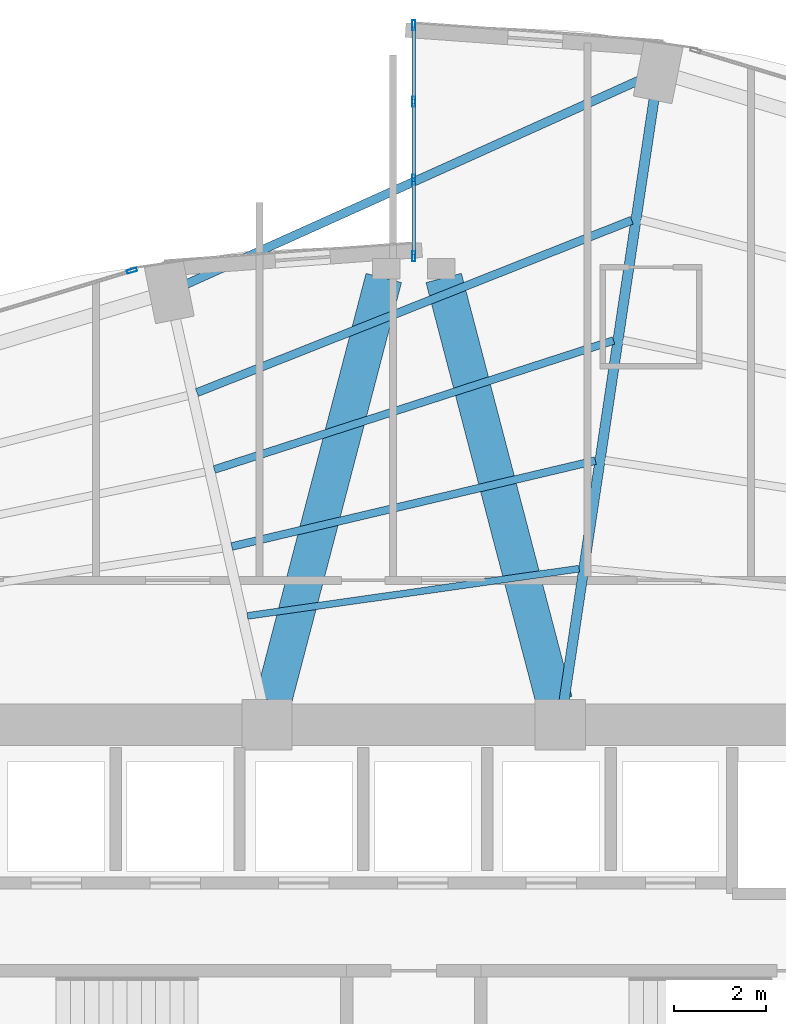
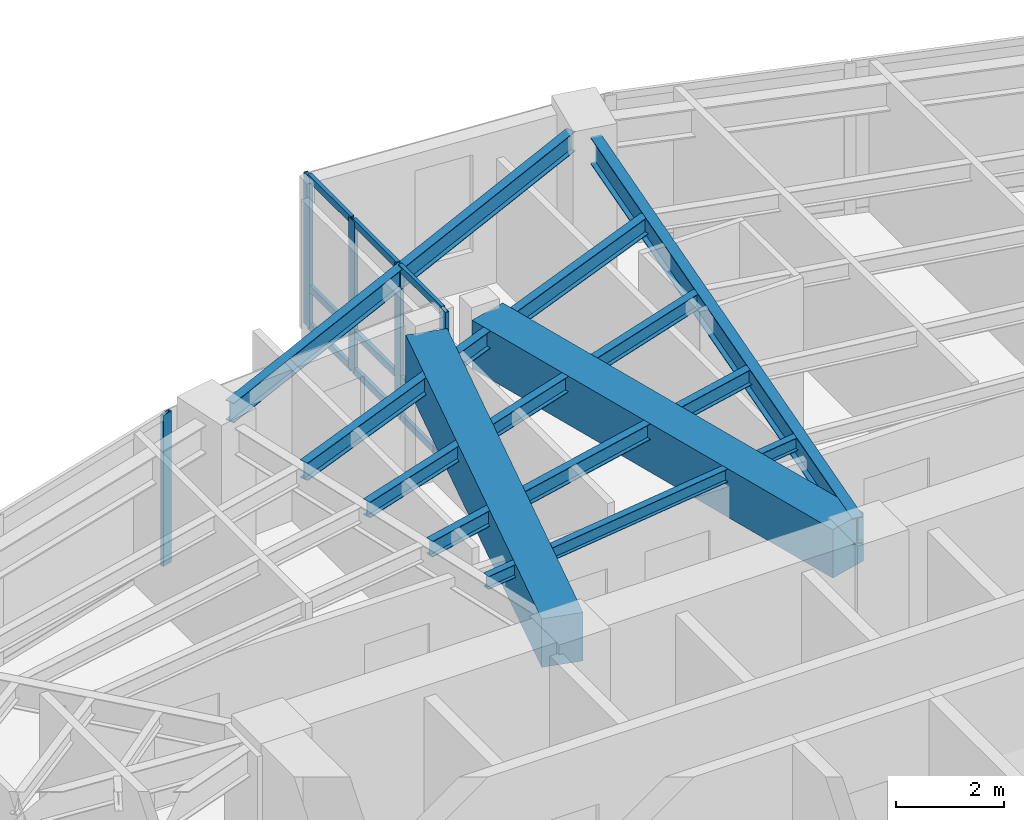
# One storey, part 16 of 25: 14 members, 8 beams, 2 elements without a shape of their own.
"""IFC4 building model written with IfcOpenShell, lengths in metres."""

from ifc_helpers import new_model, si_unit, direction, frame, origin, origin_2d, place, context, subcontext, project, spatial, rectangle, hollow_rectangle, i_section, extrude, material, layer, layer_set, material_profile, profile_set, type_object, element, aggregate, save


model = new_model("IFC4")

# Units and contexts
model_context = context("Model", 3, precision=1e-05, world=origin(), true_north=direction((0.0, 1.0)))
body_context = subcontext(model_context, "Body", "Model", "MODEL_VIEW")
ifc_project = project(units=[si_unit("LENGTHUNIT", "METRE"), si_unit("AREAUNIT", "SQUARE_METRE"), si_unit("VOLUMEUNIT", "CUBIC_METRE"), si_unit("PLANEANGLEUNIT", "RADIAN"), si_unit("MASSUNIT", "GRAM", prefix="KILO")], contexts=[model_context])

# Site, building, storey
site_placement = place(None, origin())
site = spatial("IfcSite", under=ifc_project, at=site_placement, CompositionType="ELEMENT")
building_placement = place(site_placement, origin())
building = spatial("IfcBuilding", under=site, at=building_placement, Name="Lazwardi Medical Tower", CompositionType="ELEMENT")
storey_placement = place(building_placement, frame((0.0, 0.0, 47.087890625)))
storey = spatial("IfcBuildingStorey", under=building, at=storey_placement, Name="L11", CompositionType="ELEMENT", Elevation=47.087890625)

# Beams
ifc_material_1 = material(Name="Concrete C70/85", Category="concrete")
ifc_material_profile_1 = material_profile(ifc_material_1, rectangle(XDim=0.800048828125, YDim=1.10009765625, at=origin_2d()), Name="RC 800x1100")
ifc_profile_set_1 = profile_set([ifc_material_profile_1], Name="Concrete C70/85")
beam_type_1 = type_object("IfcBeamType", Name="BM-CB-RC1", PredefinedType="LINTEL", material=ifc_profile_set_1)
for number, where, z_axis, x_axis, name in (
    (1, (32.935302734375, 36.11767578125, 2.878173828125), (0.252819877511, 0.967513364009, 0.0), (-0.967513364009, 0.252819877511, 0.0), "Core coupling lintel CB-01 PL1 L11"),
    (2, (39.064697265625, 36.11767578125, 2.878173828125), (-0.252819877511, 0.967513364009, 0.0), (-0.967513364009, -0.252819877511, 0.0), "Core coupling lintel CB-01 PL2 L11"),
):
    element("IfcBeam", number, at=place(storey_placement, frame(where, z_axis=z_axis, x_axis=x_axis)), inside=storey, type_object=beam_type_1, Name=name, PredefinedType="LINTEL", context=body_context, shape_type="SweptSolid", body=[
        extrude(rectangle(XDim=0.800048828125, YDim=1.10009765625, at=origin_2d()), origin(), (0.0, 0.0, 1.0), 9.538818359375),
    ])
ifc_material_2 = material(Name="Steel S355", Category="steel")
ifc_material_profile_2 = material_profile(ifc_material_2, i_section(OverallWidth=0.219970703125, OverallDepth=0.60009765625, WebThickness=0.011962890625, FlangeThickness=0.01904296875, at=origin_2d()), Name="IPE 600")
ifc_profile_set_2 = profile_set([ifc_material_profile_2], Name="Steel S355")
beam_type_2 = type_object("IfcBeamType", Name="BM-RG-W1", PredefinedType="BEAM", material=ifc_profile_set_2)
beam_1_placement = place(storey_placement, frame((41.2451171875, 49.2705078125, 3.128173828125), z_axis=(-0.147944218183, -0.98899570692, 0.0), x_axis=(0.98899570692, -0.147944218183, 0.0)))
element("IfcBeam", 3, at=beam_1_placement, inside=storey, type_object=beam_type_2, Name="Radial girder RG-02 R08 L11", PredefinedType="BEAM", context=body_context, shape_type="SweptSolid", body=[
    extrude(i_section(OverallWidth=0.219970703125, OverallDepth=0.60009765625, WebThickness=0.011962890625, FlangeThickness=0.01904296875, at=origin_2d()), origin(), (0.0, 0.0, 1.0), 13.28759765625),
])
ifc_material_profile_3 = material_profile(ifc_material_2, i_section(OverallWidth=0.179931640625, OverallDepth=0.39990234375, WebThickness=0.008544921875, FlangeThickness=0.013427734375, at=origin_2d()), Name="IPE 400")
ifc_profile_set_3 = profile_set([ifc_material_profile_3], Name="Steel S355")
beam_type_3 = type_object("IfcBeamType", Name="BM-SJ-01", PredefinedType="JOIST", material=ifc_profile_set_3)
beam_2_placement = place(storey_placement, frame((40.754150390625, 46.603515625, 3.22802734375), z_axis=(-0.929663713752, -0.368409255222, 0.0), x_axis=(0.368409255222, -0.929663713752, 0.0)))
element("IfcBeam", 4, at=beam_2_placement, inside=storey, type_object=beam_type_3, Name="Secondary joist SJ-01 R1 B08 L11", PredefinedType="JOIST", context=body_context, shape_type="SweptSolid", body=[
    extrude(i_section(OverallWidth=0.179931640625, OverallDepth=0.39990234375, WebThickness=0.008544921875, FlangeThickness=0.013427734375, at=origin_2d()), origin(), (0.0, 0.0, 1.0), 10.2001953125),
])
ifc_material_profile_4 = material_profile(ifc_material_2, i_section(OverallWidth=0.169921875, OverallDepth=0.360107421875, WebThickness=0.008056640625, FlangeThickness=0.0126953125, at=origin_2d()), Name="IPE 360")
ifc_profile_set_4 = profile_set([ifc_material_profile_4], Name="Steel S355")
beam_type_4 = type_object("IfcBeamType", Name="BM-SJ-02", PredefinedType="JOIST", material=ifc_profile_set_4)
beam_3_placement = place(storey_placement, frame((40.35888671875, 43.981689453125, 3.248046875), z_axis=(-0.951558895485, -0.307466532199, 0.0), x_axis=(0.307466532199, -0.951558895485, 0.0)))
element("IfcBeam", 5, at=beam_3_placement, inside=storey, type_object=beam_type_4, Name="Secondary joist SJ-02 R2 B08 L11", PredefinedType="JOIST", context=body_context, shape_type="SweptSolid", body=[
    extrude(i_section(OverallWidth=0.169921875, OverallDepth=0.360107421875, WebThickness=0.008056640625, FlangeThickness=0.0126953125, at=origin_2d()), origin(), (0.0, 0.0, 1.0), 9.1513671875),
])
beam_4_placement = place(storey_placement, frame((39.96337890625, 41.361572265625, 3.248046875), z_axis=(-0.973240904247, -0.229787167397, 0.0), x_axis=(0.229787167397, -0.973240904247, 0.0)))
element("IfcBeam", 6, at=beam_4_placement, inside=storey, type_object=beam_type_4, Name="Secondary joist SJ-02 R3 B08 L11", PredefinedType="JOIST", context=body_context, shape_type="SweptSolid", body=[
    extrude(i_section(OverallWidth=0.169921875, OverallDepth=0.360107421875, WebThickness=0.008056640625, FlangeThickness=0.0126953125, at=origin_2d()), origin(), (0.0, 0.0, 1.0), 8.151123046875),
])
ifc_material_profile_5 = material_profile(ifc_material_2, i_section(OverallWidth=0.14990234375, OverallDepth=0.300048828125, WebThickness=0.007080078125, FlangeThickness=0.0107421875, at=origin_2d()), Name="IPE 300")
ifc_profile_set_5 = profile_set([ifc_material_profile_5], Name="Steel S355")
beam_type_5 = type_object("IfcBeamType", Name="BM-SJ-03", PredefinedType="JOIST", material=ifc_profile_set_5)
beam_5_placement = place(storey_placement, frame((39.607666015625, 39.00537109375, 3.278076171875), z_axis=(-0.99001552228, -0.140958382672, 0.0), x_axis=(0.140958382672, -0.99001552228, 0.0)))
element("IfcBeam", 7, at=beam_5_placement, inside=storey, type_object=beam_type_5, Name="Secondary joist SJ-03 R4 B08 L11", PredefinedType="JOIST", context=body_context, shape_type="SweptSolid", body=[
    extrude(i_section(OverallWidth=0.14990234375, OverallDepth=0.300048828125, WebThickness=0.007080078125, FlangeThickness=0.0107421875, at=origin_2d()), origin(), (0.0, 0.0, 1.0), 7.30908203125),
])
ifc_material_profile_6 = material_profile(ifc_material_2, i_section(OverallWidth=0.18994140625, OverallDepth=0.449951171875, WebThickness=0.009521484375, FlangeThickness=0.0146484375, at=origin_2d()), Name="IPE 450")
ifc_profile_set_6 = profile_set([ifc_material_profile_6], Name="Steel S355")
beam_type_6 = type_object("IfcBeamType", Name="BM-SP-01", PredefinedType="SPANDREL", material=ifc_profile_set_6)
beam_6_placement = place(storey_placement, frame((40.94775390625, 49.671630859375, 3.203125), z_axis=(-0.91184908894, -0.410525564368, 0.0), x_axis=(0.410525564368, -0.91184908894, 0.0)))
element("IfcBeam", 8, at=beam_6_placement, inside=storey, type_object=beam_type_6, Name="Spandrel beam SP-01 B08 L11", PredefinedType="SPANDREL", context=body_context, shape_type="SweptSolid", body=[
    extrude(i_section(OverallWidth=0.18994140625, OverallDepth=0.449951171875, WebThickness=0.009521484375, FlangeThickness=0.0146484375, at=origin_2d()), origin(), (0.0, 0.0, 1.0), 10.85205078125),
])

# Curtain wall, member
ifc_material_3 = material(Name="Anodised bronze aluminium and solar control glazing", Category="aluminium")
ifc_layer_1 = layer(ifc_material_3, 0.199951171875)
ifc_layer_set_1 = layer_set([ifc_layer_1], Name="Anodised bronze aluminium and solar control glazing")
curtain_wall_type_1 = type_object("IfcCurtainWallType", Name="CW-SYS-02", PredefinedType="NOTDEFINED", material=ifc_layer_set_1)
curtain_wall_1_placement = place(storey_placement, origin())
curtain_wall_1 = element("IfcCurtainWall", 9, at=curtain_wall_1_placement, inside=storey, type_object=curtain_wall_type_1, Name="L11 Unitised bronze curtain wall CW-02", PredefinedType="NOTDEFINED")
ifc_material_4 = material(Name="Anodised bronze aluminium", Category="aluminium")
ifc_material_profile_7 = material_profile(ifc_material_4, hollow_rectangle(XDim=0.074951171875, YDim=0.219970703125, WallThickness=0.00390625, at=origin_2d()), Name="ALU-MULLION 220x75x4")
ifc_profile_set_7 = profile_set([ifc_material_profile_7], Name="Anodised bronze aluminium")
member_type_1 = type_object("IfcMemberType", Name="CW-MUL-01", PredefinedType="MULLION", material=ifc_profile_set_7)
member_1_placement = place(storey_placement, frame((29.85205078125, 45.503662109375, 0.0), z_axis=(0.0, 0.0, 1.0), x_axis=(0.2898956909, -0.957058247129, 0.0)))
member_1 = element("IfcMember", 10, at=member_1_placement, type_object=member_type_1, Name="CW-02 mullion 1", PredefinedType="MULLION", context=body_context, shape_type="SweptSolid", body=[
    extrude(hollow_rectangle(XDim=0.074951171875, YDim=0.219970703125, WallThickness=0.00390625, at=origin_2d()), origin(), (0.0, 0.0, 1.0), 3.42822265625),
])
aggregate(curtain_wall_1, [member_1])

# Curtain wall, members
ifc_layer_2 = layer(ifc_material_3, 0.2099609375)
ifc_layer_set_2 = layer_set([ifc_layer_2], Name="Anodised bronze aluminium and solar control glazing")
curtain_wall_type_2 = type_object("IfcCurtainWallType", Name="CW-SYS-06", PredefinedType="NOTDEFINED", material=ifc_layer_set_2)
curtain_wall_2_placement = place(storey_placement, origin())
curtain_wall_2 = element("IfcCurtainWall", 11, at=curtain_wall_2_placement, inside=storey, type_object=curtain_wall_type_2, Name="L11 Unitised bronze curtain wall CW-06", PredefinedType="NOTDEFINED")
member_2_placement = place(storey_placement, frame((36.0, 50.862548828125, 0.0), z_axis=(0.0, 0.0, 1.0), x_axis=(1.0, 0.0, 0.0)))
member_2 = element("IfcMember", 12, at=member_2_placement, type_object=member_type_1, Name="CW-06 mullion 1", PredefinedType="MULLION", context=body_context, shape_type="SweptSolid", body=[
    extrude(hollow_rectangle(XDim=0.074951171875, YDim=0.219970703125, WallThickness=0.00390625, at=origin_2d()), origin(), (0.0, 0.0, 1.0), 3.42822265625),
])
member_3_placement = place(storey_placement, frame((36.0, 49.193359375, 0.0), z_axis=(0.0, 0.0, 1.0), x_axis=(1.0, 0.0, 0.0)))
member_3 = element("IfcMember", 13, at=member_3_placement, type_object=member_type_1, Name="CW-06 mullion 2", PredefinedType="MULLION", context=body_context, shape_type="SweptSolid", body=[
    extrude(hollow_rectangle(XDim=0.074951171875, YDim=0.219970703125, WallThickness=0.00390625, at=origin_2d()), origin(), (0.0, 0.0, 1.0), 3.42822265625),
])
member_4_placement = place(storey_placement, frame((36.0, 47.486572265625, 0.0), z_axis=(0.0, 0.0, 1.0), x_axis=(1.0, 0.0, 0.0)))
member_4 = element("IfcMember", 14, at=member_4_placement, type_object=member_type_1, Name="CW-06 mullion 3", PredefinedType="MULLION", context=body_context, shape_type="SweptSolid", body=[
    extrude(hollow_rectangle(XDim=0.074951171875, YDim=0.219970703125, WallThickness=0.00390625, at=origin_2d()), origin(), (0.0, 0.0, 1.0), 3.42822265625),
])
member_5_placement = place(storey_placement, frame((36.0, 45.8173828125, 0.0), z_axis=(0.0, 0.0, 1.0), x_axis=(1.0, 0.0, 0.0)))
member_5 = element("IfcMember", 15, at=member_5_placement, type_object=member_type_1, Name="CW-06 mullion 4", PredefinedType="MULLION", context=body_context, shape_type="SweptSolid", body=[
    extrude(hollow_rectangle(XDim=0.074951171875, YDim=0.219970703125, WallThickness=0.00390625, at=origin_2d()), origin(), (0.0, 0.0, 1.0), 3.42822265625),
])
ifc_material_profile_8 = material_profile(ifc_material_4, hollow_rectangle(XDim=0.074951171875, YDim=0.159912109375, WallThickness=0.00390625, at=origin_2d()), Name="ALU-TRANSOM 160x75x4")
ifc_profile_set_8 = profile_set([ifc_material_profile_8], Name="Anodised bronze aluminium")
member_type_2 = type_object("IfcMemberType", Name="CW-TRN-01", PredefinedType="USERDEFINED", material=ifc_profile_set_8)
member_6_placement = place(storey_placement, frame((36.0, 50.824951171875, 0.03759765625), z_axis=(0.0, -1.0, 0.0), x_axis=(1.0, 0.0, 0.0)))
member_6 = element("IfcMember", 16, at=member_6_placement, type_object=member_type_2, Name="CW-06 transom 1.1", ObjectType="TRANSOM", PredefinedType="USERDEFINED", context=body_context, shape_type="SweptSolid", body=[
    extrude(hollow_rectangle(XDim=0.074951171875, YDim=0.159912109375, WallThickness=0.00390625, at=origin_2d()), origin(), (0.0, 0.0, 1.0), 1.59423828125),
])
member_7_placement = place(storey_placement, frame((36.0, 50.824951171875, 0.900146484375), z_axis=(0.0, -1.0, 0.0), x_axis=(1.0, 0.0, 0.0)))
member_7 = element("IfcMember", 17, at=member_7_placement, type_object=member_type_2, Name="CW-06 transom 1.2", ObjectType="TRANSOM", PredefinedType="USERDEFINED", context=body_context, shape_type="SweptSolid", body=[
    extrude(hollow_rectangle(XDim=0.074951171875, YDim=0.159912109375, WallThickness=0.00390625, at=origin_2d()), origin(), (0.0, 0.0, 1.0), 1.59423828125),
])
member_8_placement = place(storey_placement, frame((36.0, 50.824951171875, 3.390625), z_axis=(0.0, -1.0, 0.0), x_axis=(1.0, 0.0, 0.0)))
member_8 = element("IfcMember", 18, at=member_8_placement, type_object=member_type_2, Name="CW-06 transom 1.3", ObjectType="TRANSOM", PredefinedType="USERDEFINED", context=body_context, shape_type="SweptSolid", body=[
    extrude(hollow_rectangle(XDim=0.074951171875, YDim=0.159912109375, WallThickness=0.00390625, at=origin_2d()), origin(), (0.0, 0.0, 1.0), 1.59423828125),
])
member_9_placement = place(storey_placement, frame((36.0, 49.15576171875, 0.03759765625), z_axis=(0.0, -1.0, 0.0), x_axis=(1.0, 0.0, 0.0)))
member_9 = element("IfcMember", 19, at=member_9_placement, type_object=member_type_2, Name="CW-06 transom 2.1", ObjectType="TRANSOM", PredefinedType="USERDEFINED", context=body_context, shape_type="SweptSolid", body=[
    extrude(hollow_rectangle(XDim=0.074951171875, YDim=0.159912109375, WallThickness=0.00390625, at=origin_2d()), origin(), (0.0, 0.0, 1.0), 1.631591796875),
])
member_10_placement = place(storey_placement, frame((36.0, 49.15576171875, 0.900146484375), z_axis=(0.0, -1.0, 0.0), x_axis=(1.0, 0.0, 0.0)))
member_10 = element("IfcMember", 20, at=member_10_placement, type_object=member_type_2, Name="CW-06 transom 2.2", ObjectType="TRANSOM", PredefinedType="USERDEFINED", context=body_context, shape_type="SweptSolid", body=[
    extrude(hollow_rectangle(XDim=0.074951171875, YDim=0.159912109375, WallThickness=0.00390625, at=origin_2d()), origin(), (0.0, 0.0, 1.0), 1.631591796875),
])
member_11_placement = place(storey_placement, frame((36.0, 49.15576171875, 3.390625), z_axis=(0.0, -1.0, 0.0), x_axis=(1.0, 0.0, 0.0)))
member_11 = element("IfcMember", 21, at=member_11_placement, type_object=member_type_2, Name="CW-06 transom 2.3", ObjectType="TRANSOM", PredefinedType="USERDEFINED", context=body_context, shape_type="SweptSolid", body=[
    extrude(hollow_rectangle(XDim=0.074951171875, YDim=0.159912109375, WallThickness=0.00390625, at=origin_2d()), origin(), (0.0, 0.0, 1.0), 1.631591796875),
])
member_12_placement = place(storey_placement, frame((36.0, 47.44921875, 0.03759765625), z_axis=(0.0, -1.0, 0.0), x_axis=(1.0, 0.0, 0.0)))
member_12 = element("IfcMember", 22, at=member_12_placement, type_object=member_type_2, Name="CW-06 transom 3.1", ObjectType="TRANSOM", PredefinedType="USERDEFINED", context=body_context, shape_type="SweptSolid", body=[
    extrude(hollow_rectangle(XDim=0.074951171875, YDim=0.159912109375, WallThickness=0.00390625, at=origin_2d()), origin(), (0.0, 0.0, 1.0), 1.59423828125),
])
member_13_placement = place(storey_placement, frame((36.0, 47.44921875, 0.900146484375), z_axis=(0.0, -1.0, 0.0), x_axis=(1.0, 0.0, 0.0)))
member_13 = element("IfcMember", 23, at=member_13_placement, type_object=member_type_2, Name="CW-06 transom 3.2", ObjectType="TRANSOM", PredefinedType="USERDEFINED", context=body_context, shape_type="SweptSolid", body=[
    extrude(hollow_rectangle(XDim=0.074951171875, YDim=0.159912109375, WallThickness=0.00390625, at=origin_2d()), origin(), (0.0, 0.0, 1.0), 1.59423828125),
])
member_14_placement = place(storey_placement, frame((36.0, 47.44921875, 3.390625), z_axis=(0.0, -1.0, 0.0), x_axis=(1.0, 0.0, 0.0)))
member_14 = element("IfcMember", 24, at=member_14_placement, type_object=member_type_2, Name="CW-06 transom 3.3", ObjectType="TRANSOM", PredefinedType="USERDEFINED", context=body_context, shape_type="SweptSolid", body=[
    extrude(hollow_rectangle(XDim=0.074951171875, YDim=0.159912109375, WallThickness=0.00390625, at=origin_2d()), origin(), (0.0, 0.0, 1.0), 1.59423828125),
])
aggregate(curtain_wall_2, [member_2, member_3, member_4, member_5, member_6, member_7, member_8, member_9, member_10, member_11, member_12, member_13, member_14])

save(model, "model.ifc")
